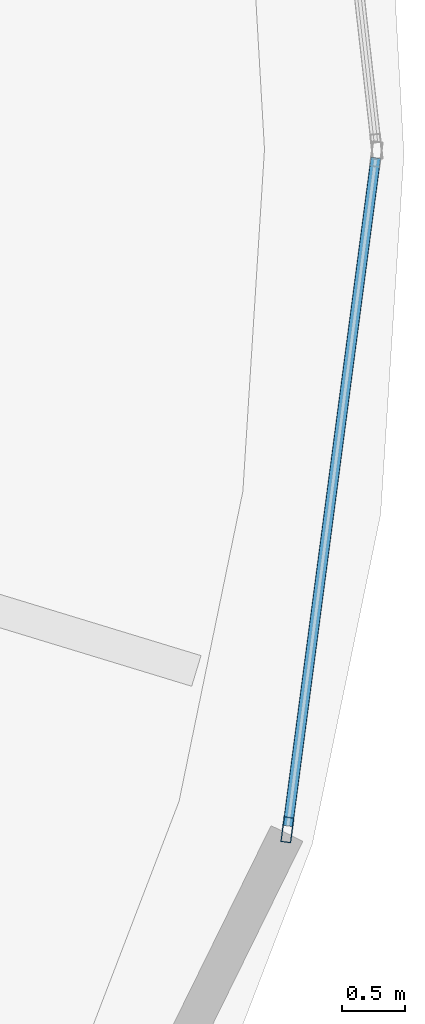
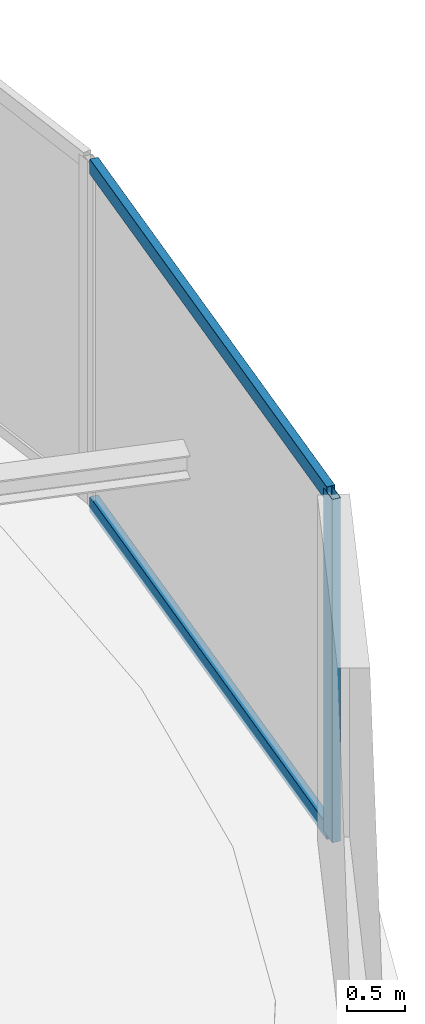
# One storey, part 7 of 20: 3 members, 1 element without a shape of its own.
"""IFC4 building model written with IfcOpenShell, lengths in metres."""

from ifc_helpers import new_model, si_unit, direction, frame, origin, origin_2d, place, context, subcontext, project, spatial, hollow_rectangle, extrude, material, layer, layer_set, material_profile, profile_set, type_object, element, aggregate, save


model = new_model("IFC4")

# Units and contexts
model_context = context("Model", 3, precision=1e-05, world=origin(), true_north=direction((0.0, 1.0)))
body_context = subcontext(model_context, "Body", "Model", "MODEL_VIEW")
ifc_project = project(units=[si_unit("LENGTHUNIT", "METRE"), si_unit("AREAUNIT", "SQUARE_METRE"), si_unit("VOLUMEUNIT", "CUBIC_METRE"), si_unit("PLANEANGLEUNIT", "RADIAN"), si_unit("MASSUNIT", "GRAM", prefix="KILO")], contexts=[model_context])

# Site, building, storey
site_placement = place(None, origin())
site = spatial("IfcSite", under=ifc_project, at=site_placement, CompositionType="ELEMENT")
building_placement = place(site_placement, origin())
building = spatial("IfcBuilding", under=site, at=building_placement, Name="Bramvorn Convention Spire", CompositionType="ELEMENT")
storey_placement = place(building_placement, frame((0.0, 0.0, 178.89990234375)))
storey = spatial("IfcBuildingStorey", under=building, at=storey_placement, Name="L45", CompositionType="ELEMENT", Elevation=178.89990234375)

# Curtain wall, members
ifc_material_1 = material(Name="Anodised Bronze Unitised Curtain Wall", Category="aluminium")
ifc_layer = layer(ifc_material_1, 0.179931640625)
ifc_layer_set = layer_set([ifc_layer], Name="Anodised Bronze Unitised Curtain Wall - CW-OFF-FRIT")
curtain_wall_type = type_object("IfcCurtainWallType", Name="CW-OFF-FRIT", PredefinedType="USERDEFINED", material=ifc_layer_set)
curtain_wall_placement = place(storey_placement, origin())
curtain_wall = element("IfcCurtainWall", 1, at=curtain_wall_placement, inside=storey, type_object=curtain_wall_type, Name="L45 fritted glass curtain wall 02", ObjectType="UNITISED CURTAIN WALL", PredefinedType="USERDEFINED")
ifc_material_2 = material(Name="Anodised Bronze Aluminium 6063-T6", Category="aluminium")
ifc_material_profile_1 = material_profile(ifc_material_2, hollow_rectangle(XDim=0.080078125, YDim=0.199951171875, WallThickness=0.00390625, InnerFilletRadius=0.0009765625, OuterFilletRadius=0.00390625, at=origin_2d()))
ifc_profile_set_1 = profile_set([ifc_material_profile_1], Name="Anodised Bronze Aluminium 6063-T6 - CWM80X200")
member_type_1 = type_object("IfcMemberType", Name="CW-MUL-180", PredefinedType="MULLION", material=ifc_profile_set_1)
member_1_placement = place(storey_placement, frame((62.646240234375, 13.4267578125, 0.0), z_axis=(0.0, 0.0, 1.0), x_axis=(0.991453859536, -0.13045782618, 0.0)))
member_1 = element("IfcMember", 2, at=member_1_placement, type_object=member_type_1, Name="CW3 mullion 2", PredefinedType="MULLION", context=body_context, shape_type="SweptSolid", body=[
    extrude(hollow_rectangle(XDim=0.080078125, YDim=0.199951171875, WallThickness=0.00390625, InnerFilletRadius=0.0009765625, OuterFilletRadius=0.00390625, at=origin_2d()), origin(), (0.0, 0.0, 1.0), 3.6201171875),
])
ifc_material_profile_2 = material_profile(ifc_material_2, hollow_rectangle(XDim=0.080078125, YDim=0.159912109375, WallThickness=0.00390625, InnerFilletRadius=0.0009765625, OuterFilletRadius=0.00390625, at=origin_2d()))
ifc_profile_set_2 = profile_set([ifc_material_profile_2], Name="Anodised Bronze Aluminium 6063-T6 - CWT80X160")
member_type_2 = type_object("IfcMemberType", Name="CW-TRN-150", PredefinedType="USERDEFINED", material=ifc_profile_set_2)
member_2_placement = place(storey_placement, frame((63.347412109375, 18.755615234375, 0.030029296875), z_axis=(-0.130458057403, -0.991453829111, 0.0), x_axis=(0.991453829111, -0.130458057403, 0.0)))
member_2 = element("IfcMember", 3, at=member_2_placement, type_object=member_type_2, Name="CW3 transom 1.1", ObjectType="TRANSOM", PredefinedType="USERDEFINED", context=body_context, shape_type="SweptSolid", body=[
    extrude(hollow_rectangle(XDim=0.080078125, YDim=0.159912109375, WallThickness=0.00390625, InnerFilletRadius=0.0009765625, OuterFilletRadius=0.00390625, at=origin_2d()), origin(), (0.0, 0.0, 1.0), 5.3447265625),
])
member_3_placement = place(storey_placement, frame((63.347412109375, 18.755615234375, 3.590087890625), z_axis=(-0.130458057403, -0.991453829111, 0.0), x_axis=(0.991453829111, -0.130458057403, 0.0)))
member_3 = element("IfcMember", 4, at=member_3_placement, type_object=member_type_2, Name="CW3 transom 1.2", ObjectType="TRANSOM", PredefinedType="USERDEFINED", context=body_context, shape_type="SweptSolid", body=[
    extrude(hollow_rectangle(XDim=0.080078125, YDim=0.159912109375, WallThickness=0.00390625, InnerFilletRadius=0.0009765625, OuterFilletRadius=0.00390625, at=origin_2d()), origin(), (0.0, 0.0, 1.0), 5.3447265625),
])
aggregate(curtain_wall, [member_1, member_2, member_3])

save(model, "model.ifc")
